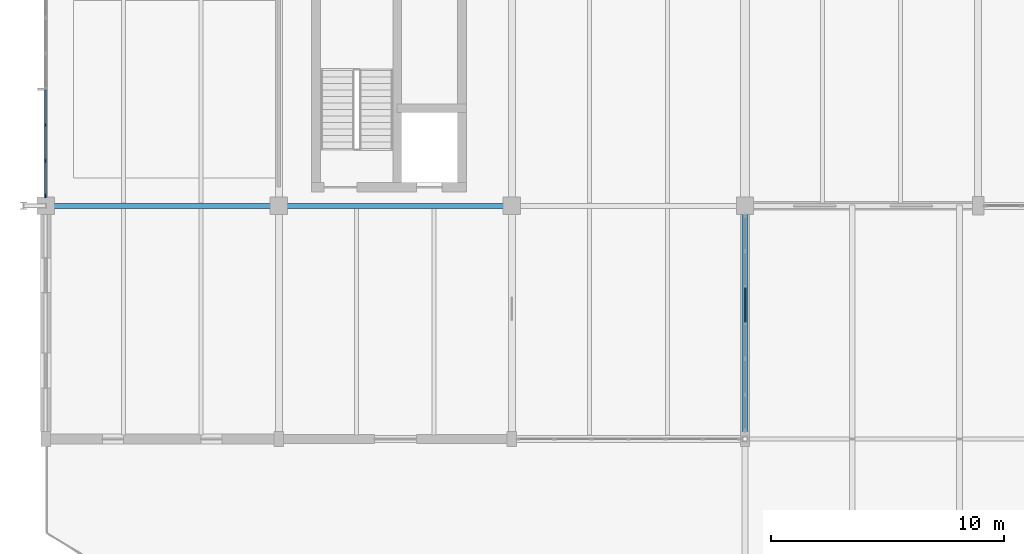
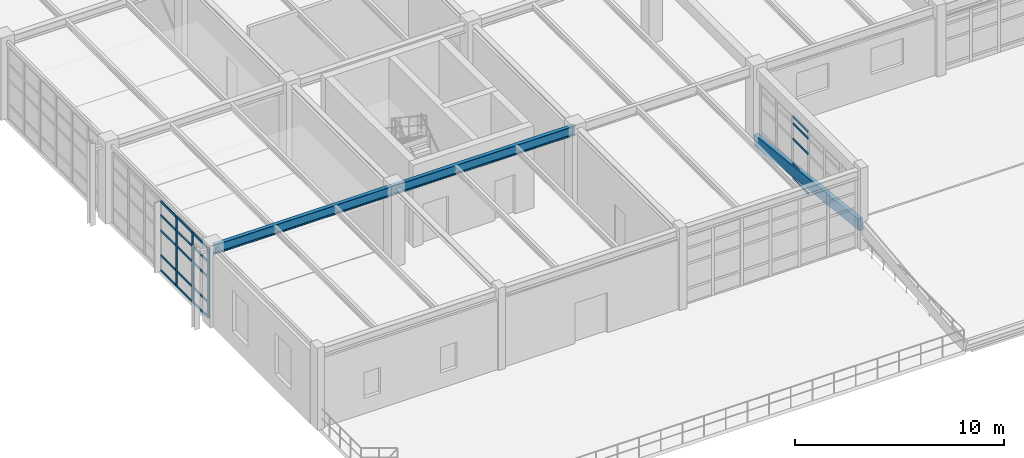
# One storey, part 26 of 139: 24 members, 2 beams, 2 elements without a shape of their own.
"""IFC4 building model written with IfcOpenShell, lengths in metres."""

from ifc_helpers import new_model, si_unit, direction, frame, origin, origin_2d, place, context, subcontext, project, spatial, rectangle, i_section, extrude, material, layer, layer_set, material_profile, profile_set, type_object, element, aggregate, save


model = new_model("IFC4")

# Units and contexts
model_context = context("Model", 3, precision=1e-05, world=origin(), true_north=direction((0.0, 1.0)))
body_context = subcontext(model_context, "Body", "Model", "MODEL_VIEW")
ifc_project = project(units=[si_unit("LENGTHUNIT", "METRE"), si_unit("AREAUNIT", "SQUARE_METRE"), si_unit("VOLUMEUNIT", "CUBIC_METRE"), si_unit("PLANEANGLEUNIT", "RADIAN"), si_unit("MASSUNIT", "GRAM", prefix="KILO"), si_unit("THERMODYNAMICTEMPERATUREUNIT", "KELVIN"), si_unit("POWERUNIT", "WATT")], contexts=[model_context])

# Site, building, storey
site_placement = place(None, origin())
site = spatial("IfcSite", under=ifc_project, at=site_placement, CompositionType="ELEMENT")
building_placement = place(site_placement, origin())
building = spatial("IfcBuilding", under=site, at=building_placement, Name="Korenveer Ferry Terminal", CompositionType="ELEMENT")
storey_placement = place(building_placement, frame((0.0, 0.0, 5.39990234375)))
storey = spatial("IfcBuildingStorey", under=building, at=storey_placement, Name="L01", CompositionType="ELEMENT", Elevation=5.39990234375)

# Curtain wall, members
ifc_material_1 = material(Name="Unitised bronze-and-glass curtain wall", Category="glass")
ifc_layer_1 = layer(ifc_material_1, 0.159912109375)
ifc_layer_set_1 = layer_set([ifc_layer_1], Name="Unitised bronze-and-glass curtain wall")
curtain_wall_type_1 = type_object("IfcCurtainWallType", Name="ENV-CW-58", PredefinedType="USERDEFINED", material=ifc_layer_set_1)
curtain_wall_1_placement = place(storey_placement, frame((0.0, 20.405029296875, 0.0)))
curtain_wall_1 = element("IfcCurtainWall", 1, at=curtain_wall_1_placement, inside=storey, type_object=curtain_wall_type_1, Name="Lancet curtain wall CWX-L01-X0-0-Y20-30", ObjectType="UNITISED CURTAIN WALL", PredefinedType="USERDEFINED")
ifc_material_2 = material(Name="Anodised bronze aluminium", Category="aluminium")
ifc_material_profile_1 = material_profile(ifc_material_2, rectangle(XDim=0.06005859375, YDim=0.159912109375, at=origin_2d()), Name="ALU 60x160")
ifc_profile_set_1 = profile_set([ifc_material_profile_1], Name="Anodised bronze aluminium")
member_type_1 = type_object("IfcMemberType", Name="ENV-CWM-60X160", PredefinedType="MULLION", material=ifc_profile_set_1)
member_1_placement = place(storey_placement, frame((0.0, 20.43505859375, 0.0), z_axis=(0.0, 0.0, 1.0), x_axis=(-1.0, 0.0, 0.0)))
member_1 = element("IfcMember", 2, at=member_1_placement, type_object=member_type_1, Name="CW-58 mullion 1", PredefinedType="MULLION", context=body_context, shape_type="SweptSolid", body=[
    extrude(rectangle(XDim=0.06005859375, YDim=0.159912109375, at=origin_2d()), origin(), (0.0, 0.0, 1.0), 4.070068359375),
])
member_2_placement = place(storey_placement, frame((0.0, 21.936767578125, 0.0), z_axis=(0.0, 0.0, 1.0), x_axis=(-1.0, 0.0, 0.0)))
member_2 = element("IfcMember", 3, at=member_2_placement, type_object=member_type_1, Name="CW-58 mullion 2", PredefinedType="MULLION", context=body_context, shape_type="SweptSolid", body=[
    extrude(rectangle(XDim=0.06005859375, YDim=0.159912109375, at=origin_2d()), origin(), (0.0, 0.0, 1.0), 4.070068359375),
])
member_3_placement = place(storey_placement, frame((0.0, 23.46826171875, 0.0), z_axis=(0.0, 0.0, 1.0), x_axis=(-1.0, 0.0, 0.0)))
member_3 = element("IfcMember", 4, at=member_3_placement, type_object=member_type_1, Name="CW-58 mullion 3", PredefinedType="MULLION", context=body_context, shape_type="SweptSolid", body=[
    extrude(rectangle(XDim=0.06005859375, YDim=0.159912109375, at=origin_2d()), origin(), (0.0, 0.0, 1.0), 4.070068359375),
])
ifc_material_profile_2 = material_profile(ifc_material_2, rectangle(XDim=0.06005859375, YDim=0.1201171875, at=origin_2d()), Name="ALU 60x120")
ifc_profile_set_2 = profile_set([ifc_material_profile_2], Name="Anodised bronze aluminium")
member_type_2 = type_object("IfcMemberType", Name="ENV-CWT-60X120", PredefinedType="USERDEFINED", material=ifc_profile_set_2)
member_4_placement = place(storey_placement, frame((0.0, 20.465087890625, 0.030029296875), z_axis=(0.0, 1.0, 0.0), x_axis=(-1.0, 0.0, 0.0)))
member_4 = element("IfcMember", 5, at=member_4_placement, type_object=member_type_2, Name="CW-58 transom 1.1", ObjectType="TRANSOM", PredefinedType="USERDEFINED", context=body_context, shape_type="SweptSolid", body=[
    extrude(rectangle(XDim=0.06005859375, YDim=0.1201171875, at=origin_2d()), origin(), (0.0, 0.0, 1.0), 1.441650390625),
])
member_5_placement = place(storey_placement, frame((0.0, 20.465087890625, 0.900146484375), z_axis=(0.0, 1.0, 0.0), x_axis=(-1.0, 0.0, 0.0)))
member_5 = element("IfcMember", 6, at=member_5_placement, type_object=member_type_2, Name="CW-58 transom 1.2", ObjectType="TRANSOM", PredefinedType="USERDEFINED", context=body_context, shape_type="SweptSolid", body=[
    extrude(rectangle(XDim=0.06005859375, YDim=0.1201171875, at=origin_2d()), origin(), (0.0, 0.0, 1.0), 1.441650390625),
])
member_6_placement = place(storey_placement, frame((0.0, 20.465087890625, 2.35009765625), z_axis=(0.0, 1.0, 0.0), x_axis=(-1.0, 0.0, 0.0)))
member_6 = element("IfcMember", 7, at=member_6_placement, type_object=member_type_2, Name="CW-58 transom 1.3", ObjectType="TRANSOM", PredefinedType="USERDEFINED", context=body_context, shape_type="SweptSolid", body=[
    extrude(rectangle(XDim=0.06005859375, YDim=0.1201171875, at=origin_2d()), origin(), (0.0, 0.0, 1.0), 1.441650390625),
])
member_7_placement = place(storey_placement, frame((0.0, 20.465087890625, 3.25), z_axis=(0.0, 1.0, 0.0), x_axis=(-1.0, 0.0, 0.0)))
member_7 = element("IfcMember", 8, at=member_7_placement, type_object=member_type_2, Name="CW-58 transom 1.4", ObjectType="TRANSOM", PredefinedType="USERDEFINED", context=body_context, shape_type="SweptSolid", body=[
    extrude(rectangle(XDim=0.06005859375, YDim=0.1201171875, at=origin_2d()), origin(), (0.0, 0.0, 1.0), 1.441650390625),
])
member_8_placement = place(storey_placement, frame((0.0, 20.465087890625, 4.0400390625), z_axis=(0.0, 1.0, 0.0), x_axis=(-1.0, 0.0, 0.0)))
member_8 = element("IfcMember", 9, at=member_8_placement, type_object=member_type_2, Name="CW-58 transom 1.5", ObjectType="TRANSOM", PredefinedType="USERDEFINED", context=body_context, shape_type="SweptSolid", body=[
    extrude(rectangle(XDim=0.06005859375, YDim=0.1201171875, at=origin_2d()), origin(), (0.0, 0.0, 1.0), 1.441650390625),
])
member_9_placement = place(storey_placement, frame((0.0, 21.966552734375, 0.030029296875), z_axis=(0.0, 1.0, 0.0), x_axis=(-1.0, 0.0, 0.0)))
member_9 = element("IfcMember", 10, at=member_9_placement, type_object=member_type_2, Name="CW-58 transom 2.1", ObjectType="TRANSOM", PredefinedType="USERDEFINED", context=body_context, shape_type="SweptSolid", body=[
    extrude(rectangle(XDim=0.06005859375, YDim=0.1201171875, at=origin_2d()), origin(), (0.0, 0.0, 1.0), 1.4716796875),
])
member_10_placement = place(storey_placement, frame((0.0, 21.966552734375, 0.900146484375), z_axis=(0.0, 1.0, 0.0), x_axis=(-1.0, 0.0, 0.0)))
member_10 = element("IfcMember", 11, at=member_10_placement, type_object=member_type_2, Name="CW-58 transom 2.2", ObjectType="TRANSOM", PredefinedType="USERDEFINED", context=body_context, shape_type="SweptSolid", body=[
    extrude(rectangle(XDim=0.06005859375, YDim=0.1201171875, at=origin_2d()), origin(), (0.0, 0.0, 1.0), 1.4716796875),
])
member_11_placement = place(storey_placement, frame((0.0, 21.966552734375, 2.35009765625), z_axis=(0.0, 1.0, 0.0), x_axis=(-1.0, 0.0, 0.0)))
member_11 = element("IfcMember", 12, at=member_11_placement, type_object=member_type_2, Name="CW-58 transom 2.3", ObjectType="TRANSOM", PredefinedType="USERDEFINED", context=body_context, shape_type="SweptSolid", body=[
    extrude(rectangle(XDim=0.06005859375, YDim=0.1201171875, at=origin_2d()), origin(), (0.0, 0.0, 1.0), 1.4716796875),
])
member_12_placement = place(storey_placement, frame((0.0, 21.966552734375, 3.25), z_axis=(0.0, 1.0, 0.0), x_axis=(-1.0, 0.0, 0.0)))
member_12 = element("IfcMember", 13, at=member_12_placement, type_object=member_type_2, Name="CW-58 transom 2.4", ObjectType="TRANSOM", PredefinedType="USERDEFINED", context=body_context, shape_type="SweptSolid", body=[
    extrude(rectangle(XDim=0.06005859375, YDim=0.1201171875, at=origin_2d()), origin(), (0.0, 0.0, 1.0), 1.4716796875),
])
member_13_placement = place(storey_placement, frame((0.0, 21.966552734375, 4.0400390625), z_axis=(0.0, 1.0, 0.0), x_axis=(-1.0, 0.0, 0.0)))
member_13 = element("IfcMember", 14, at=member_13_placement, type_object=member_type_2, Name="CW-58 transom 2.5", ObjectType="TRANSOM", PredefinedType="USERDEFINED", context=body_context, shape_type="SweptSolid", body=[
    extrude(rectangle(XDim=0.06005859375, YDim=0.1201171875, at=origin_2d()), origin(), (0.0, 0.0, 1.0), 1.4716796875),
])
member_14_placement = place(storey_placement, frame((0.0, 23.498291015625, 0.030029296875), z_axis=(0.0, 1.0, 0.0), x_axis=(-1.0, 0.0, 0.0)))
member_14 = element("IfcMember", 15, at=member_14_placement, type_object=member_type_2, Name="CW-58 transom 3.1", ObjectType="TRANSOM", PredefinedType="USERDEFINED", context=body_context, shape_type="SweptSolid", body=[
    extrude(rectangle(XDim=0.06005859375, YDim=0.1201171875, at=origin_2d()), origin(), (0.0, 0.0, 1.0), 1.4716796875),
])
member_15_placement = place(storey_placement, frame((0.0, 23.498291015625, 0.900146484375), z_axis=(0.0, 1.0, 0.0), x_axis=(-1.0, 0.0, 0.0)))
member_15 = element("IfcMember", 16, at=member_15_placement, type_object=member_type_2, Name="CW-58 transom 3.2", ObjectType="TRANSOM", PredefinedType="USERDEFINED", context=body_context, shape_type="SweptSolid", body=[
    extrude(rectangle(XDim=0.06005859375, YDim=0.1201171875, at=origin_2d()), origin(), (0.0, 0.0, 1.0), 1.4716796875),
])
member_16_placement = place(storey_placement, frame((0.0, 23.498291015625, 2.35009765625), z_axis=(0.0, 1.0, 0.0), x_axis=(-1.0, 0.0, 0.0)))
member_16 = element("IfcMember", 17, at=member_16_placement, type_object=member_type_2, Name="CW-58 transom 3.3", ObjectType="TRANSOM", PredefinedType="USERDEFINED", context=body_context, shape_type="SweptSolid", body=[
    extrude(rectangle(XDim=0.06005859375, YDim=0.1201171875, at=origin_2d()), origin(), (0.0, 0.0, 1.0), 1.4716796875),
])
member_17_placement = place(storey_placement, frame((0.0, 23.498291015625, 3.25), z_axis=(0.0, 1.0, 0.0), x_axis=(-1.0, 0.0, 0.0)))
member_17 = element("IfcMember", 18, at=member_17_placement, type_object=member_type_2, Name="CW-58 transom 3.4", ObjectType="TRANSOM", PredefinedType="USERDEFINED", context=body_context, shape_type="SweptSolid", body=[
    extrude(rectangle(XDim=0.06005859375, YDim=0.1201171875, at=origin_2d()), origin(), (0.0, 0.0, 1.0), 1.4716796875),
])
member_18_placement = place(storey_placement, frame((0.0, 23.498291015625, 4.0400390625), z_axis=(0.0, 1.0, 0.0), x_axis=(-1.0, 0.0, 0.0)))
member_18 = element("IfcMember", 19, at=member_18_placement, type_object=member_type_2, Name="CW-58 transom 3.5", ObjectType="TRANSOM", PredefinedType="USERDEFINED", context=body_context, shape_type="SweptSolid", body=[
    extrude(rectangle(XDim=0.06005859375, YDim=0.1201171875, at=origin_2d()), origin(), (0.0, 0.0, 1.0), 1.4716796875),
])
aggregate(curtain_wall_1, [member_1, member_2, member_3, member_4, member_5, member_6, member_7, member_8, member_9, member_10, member_11, member_12, member_13, member_14, member_15, member_16, member_17, member_18])

ifc_layer_2 = layer(ifc_material_1, 0.159912109375)
ifc_layer_set_2 = layer_set([ifc_layer_2], Name="Unitised bronze-and-glass curtain wall")
curtain_wall_type_2 = type_object("IfcCurtainWallType", Name="ENV-CW-62", PredefinedType="USERDEFINED", material=ifc_layer_set_2)
curtain_wall_2_placement = place(storey_placement, frame((30.0, 19.594970703125, 0.0)))
curtain_wall_2 = element("IfcCurtainWall", 20, at=curtain_wall_2_placement, inside=storey, type_object=curtain_wall_type_2, Name="Lancet curtain wall CWX-L01-X30-30-Y10-20", ObjectType="UNITISED CURTAIN WALL", PredefinedType="USERDEFINED")
member_19_placement = place(storey_placement, frame((30.0, 16.485107421875, 0.030029296875), z_axis=(0.0, -1.0, 0.0), x_axis=(1.0, 0.0, 0.0)))
member_19 = element("IfcMember", 21, at=member_19_placement, type_object=member_type_2, Name="CW-62 transom 3.1", ObjectType="TRANSOM", PredefinedType="USERDEFINED", context=body_context, shape_type="SweptSolid", body=[
    extrude(rectangle(XDim=0.06005859375, YDim=0.1201171875, at=origin_2d()), origin(), (0.0, 0.0, 1.0), 1.480224609375),
])
member_20_placement = place(storey_placement, frame((30.0, 16.485107421875, 0.900146484375), z_axis=(0.0, -1.0, 0.0), x_axis=(1.0, 0.0, 0.0)))
member_20 = element("IfcMember", 22, at=member_20_placement, type_object=member_type_2, Name="CW-62 transom 3.2", ObjectType="TRANSOM", PredefinedType="USERDEFINED", context=body_context, shape_type="SweptSolid", body=[
    extrude(rectangle(XDim=0.06005859375, YDim=0.1201171875, at=origin_2d()), origin(), (0.0, 0.0, 1.0), 1.480224609375),
])
member_21_placement = place(storey_placement, frame((30.0, 16.485107421875, 2.35009765625), z_axis=(0.0, -1.0, 0.0), x_axis=(1.0, 0.0, 0.0)))
member_21 = element("IfcMember", 23, at=member_21_placement, type_object=member_type_2, Name="CW-62 transom 3.3", ObjectType="TRANSOM", PredefinedType="USERDEFINED", context=body_context, shape_type="SweptSolid", body=[
    extrude(rectangle(XDim=0.06005859375, YDim=0.1201171875, at=origin_2d()), origin(), (0.0, 0.0, 1.0), 1.480224609375),
])
member_22_placement = place(storey_placement, frame((30.0, 16.485107421875, 3.25), z_axis=(0.0, -1.0, 0.0), x_axis=(1.0, 0.0, 0.0)))
member_22 = element("IfcMember", 24, at=member_22_placement, type_object=member_type_2, Name="CW-62 transom 3.4", ObjectType="TRANSOM", PredefinedType="USERDEFINED", context=body_context, shape_type="SweptSolid", body=[
    extrude(rectangle(XDim=0.06005859375, YDim=0.1201171875, at=origin_2d()), origin(), (0.0, 0.0, 1.0), 1.480224609375),
])
member_23_placement = place(storey_placement, frame((30.0, 16.485107421875, 3.670166015625), z_axis=(0.0, -1.0, 0.0), x_axis=(1.0, 0.0, 0.0)))
member_23 = element("IfcMember", 25, at=member_23_placement, type_object=member_type_2, Name="CW-62 transom 3.5", ObjectType="TRANSOM", PredefinedType="USERDEFINED", context=body_context, shape_type="SweptSolid", body=[
    extrude(rectangle(XDim=0.06005859375, YDim=0.1201171875, at=origin_2d()), origin(), (0.0, 0.0, 1.0), 1.480224609375),
])
aggregate(curtain_wall_2, [member_19, member_20, member_21, member_22, member_23])

# Beams
ifc_material_3 = material(Name="Steel S355", Category="steel")
ifc_material_profile_3 = material_profile(ifc_material_3, i_section(OverallWidth=0.2099609375, OverallDepth=0.550048828125, WebThickness=0.010986328125, FlangeThickness=0.01708984375, FilletRadius=0.02392578125, at=origin_2d()), Name="IPE 550")
ifc_profile_set_3 = profile_set([ifc_material_profile_3], Name="Steel S355")
beam_type = type_object("IfcBeamType", Name="STR-BM-IPE550", PredefinedType="BEAM", material=ifc_profile_set_3)
for number, where, z_axis, x_axis, name in (
    (26, (0.02001953125, 20.0, 4.275146484375), (1.0, 0.0, 0.0), (0.0, 1.0, 0.0), "Primary X girder BMX-L02-X0-10-Y20"),
    (27, (10.02001953125, 20.0, 4.275146484375), (1.0, 0.0, 0.0), (0.0, 1.0, 0.0), "Primary X girder BMX-L02-X10-20-Y20"),
):
    element("IfcBeam", number, at=place(storey_placement, frame(where, z_axis=z_axis, x_axis=x_axis)), inside=storey, type_object=beam_type, Name=name, PredefinedType="BEAM", context=body_context, shape_type="SweptSolid", body=[
        extrude(i_section(OverallWidth=0.2099609375, OverallDepth=0.550048828125, WebThickness=0.010986328125, FlangeThickness=0.01708984375, FilletRadius=0.02392578125, at=origin_2d()), origin(), (0.0, 0.0, 1.0), 9.9599609375),
    ])

# Member
ifc_material_4 = material(Name="Glulam GL28h", Category="wood")
ifc_material_profile_4 = material_profile(ifc_material_4, rectangle(XDim=0.239990234375, YDim=0.639892578125, at=origin_2d()), Name="GL 240x640")
ifc_profile_set_4 = profile_set([ifc_material_profile_4], Name="Glulam GL28h")
member_type_3 = type_object("IfcMemberType", Name="STR-RAF-GL240", PredefinedType="RAFTER", material=ifc_profile_set_4)
member_24_placement = place(storey_placement, frame((30.0, 10.0, 1.280029296875), z_axis=(0.0, 0.994005938353, -0.109326092585), x_axis=(-1.0, 0.0, 0.0)))
element("IfcMember", 28, at=member_24_placement, inside=storey, type_object=member_type_3, Name="Canopy glulam rafter 182", PredefinedType="RAFTER", context=body_context, shape_type="SweptSolid", body=[
    extrude(rectangle(XDim=0.239990234375, YDim=0.639892578125, at=origin_2d()), origin(), (0.0, 0.0, 1.0), 10.060302734375),
])

save(model, "model.ifc")
